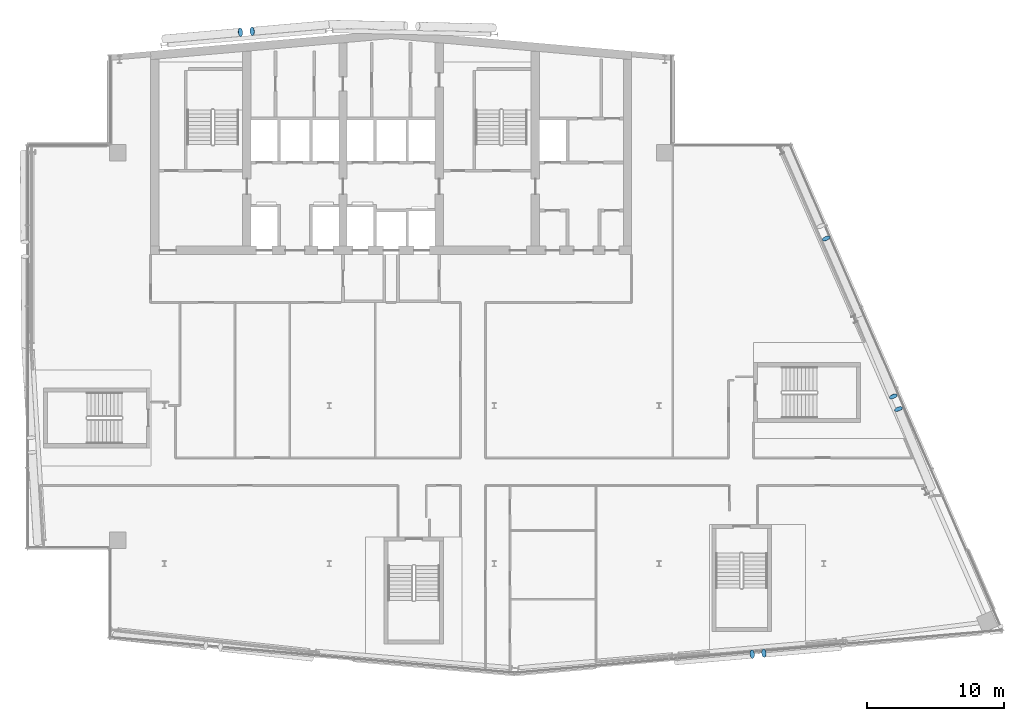
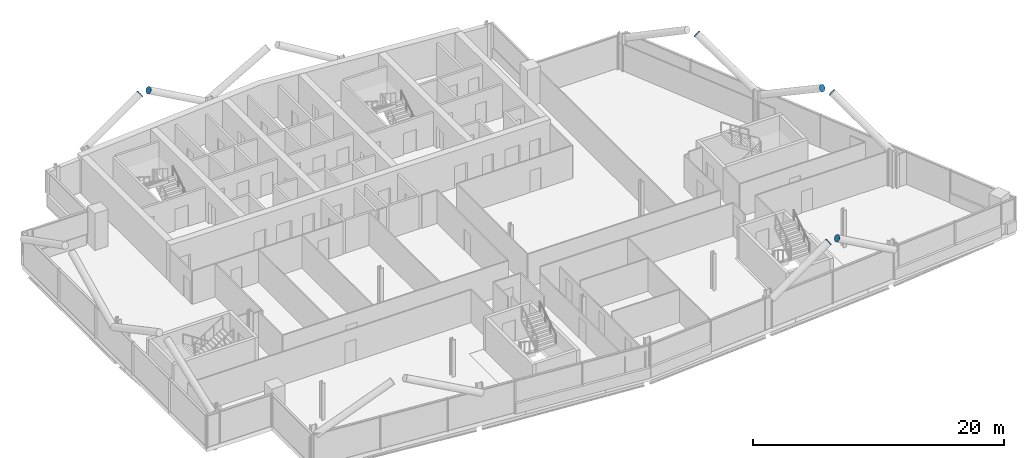
# One storey, part 22 of 26: 7 discrete accessories.
"""IFC4 building model written with IfcOpenShell, lengths in metres."""

from ifc_helpers import new_model, si_unit, direction, frame, origin, origin_2d, place, context, subcontext, project, spatial, circle, extrude, material, material_profile, profile_set, type_object, element, save


model = new_model("IFC4")

# Units and contexts
model_context = context("Model", 3, precision=1e-05, world=origin(), true_north=direction((0.0, 1.0)))
body_context = subcontext(model_context, "Body", "Model", "MODEL_VIEW")
ifc_project = project(units=[si_unit("LENGTHUNIT", "METRE"), si_unit("AREAUNIT", "SQUARE_METRE"), si_unit("VOLUMEUNIT", "CUBIC_METRE"), si_unit("PLANEANGLEUNIT", "RADIAN"), si_unit("MASSUNIT", "GRAM", prefix="KILO")], contexts=[model_context])

# Site, building, storey
site_placement = place(None, origin())
site = spatial("IfcSite", under=ifc_project, at=site_placement, CompositionType="ELEMENT")
building_placement = place(site_placement, origin())
building = spatial("IfcBuilding", under=site, at=building_placement, Name="Wharfspan Tower", CompositionType="ELEMENT")
storey_placement = place(building_placement, frame((0.0, 0.0, 217.899902)))
storey = spatial("IfcBuildingStorey", under=building, at=storey_placement, Name="L54", CompositionType="ELEMENT", Elevation=217.899902)

# Discrete accessories
ifc_material = material(Name="Steel S460NH", Category="steel")
ifc_material_profile = material_profile(ifc_material, circle(Radius=0.304932, at=origin_2d()))
ifc_profile_set = profile_set([ifc_material_profile], Name="Steel S460NH")
discrete_accessory_type = type_object("IfcDiscreteAccessoryType", Name="End plate CHS 610x25", PredefinedType="BRACKET", material=ifc_profile_set)
for number, where, z_axis, x_axis, name in (
    (1, (66.778564, 4.9104, 6.240723), (0.855186, 0.073302, 0.513112), (-0.085402, 0.996345, 1e-06), "End plate CHS 610x25"),
    (2, (67.638428, 4.985596, 6.240723), (-0.855186, -0.073302, 0.513112), (0.085402, -0.996345, 1e-06), "End plate CHS 610x25"),
    (3, (77.431885, 22.744141, 6.232666), (-0.316603, 0.828038, 0.462727), (-0.934054, -0.357138, -1e-06), "End plate CHS 610x25"),
    (4, (77.047607, 23.675049, 6.232666), (0.345075, -0.81339, 0.468316), (0.920586, 0.390551, -2e-06), "End plate CHS 610x25"),
    (5, (72.16748, 35.160156, 6.233398), (-0.366508, 0.806318, 0.464244), (-0.910368, -0.413804, 1e-06), "End plate CHS 610x25"),
    (6, (29.527588, 50.172119, 6.240234), (0.855186, 0.073302, 0.513112), (-0.085402, 0.996345, 1e-06), "End plate CHS 610x25"),
    (7, (30.393555, 50.248047, 6.240234), (-0.855186, -0.073302, 0.513112), (0.085402, -0.996345, 1e-06), "End plate CHS 610x25"),
):
    element("IfcDiscreteAccessory", number, at=place(storey_placement, frame(where, z_axis=z_axis, x_axis=x_axis)), inside=storey, type_object=discrete_accessory_type, Name=name, PredefinedType="BRACKET", context=body_context, shape_type="SweptSolid", body=[
        extrude(circle(Radius=0.304932, at=origin_2d()), origin(), (0.0, 0.0, 1.0), 0.01001),
    ])

save(model, "model.ifc")
